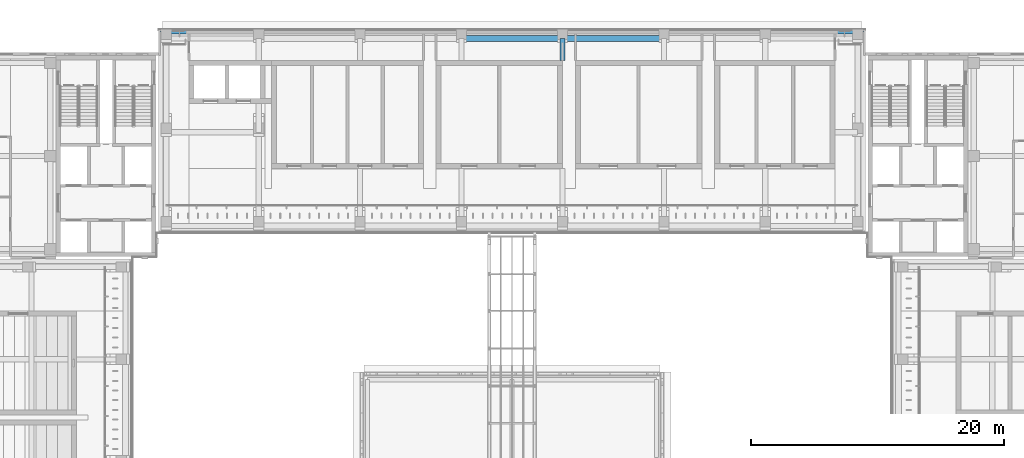
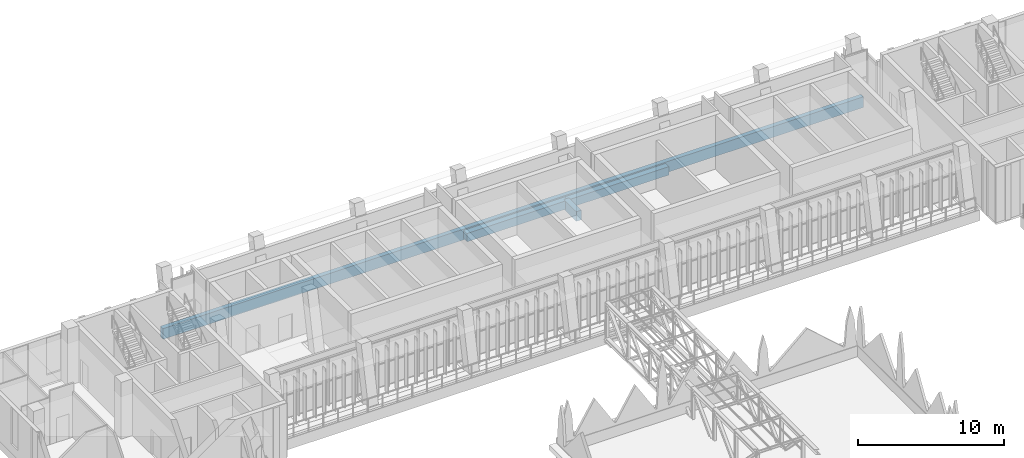
# One storey, part 76 of 141: 4 beams.
"""IFC4 building model written with IfcOpenShell, lengths in metres."""

from ifc_helpers import new_model, si_unit, direction, frame, origin, origin_2d, place, context, subcontext, project, spatial, rectangle, extrude, material, material_profile, profile_set, type_object, element, save


model = new_model("IFC4")

# Units and contexts
model_context = context("Model", 3, precision=1e-05, world=origin(), true_north=direction((0.0, 1.0)))
body_context = subcontext(model_context, "Body", "Model", "MODEL_VIEW")
ifc_project = project(units=[si_unit("LENGTHUNIT", "METRE"), si_unit("AREAUNIT", "SQUARE_METRE"), si_unit("VOLUMEUNIT", "CUBIC_METRE"), si_unit("PLANEANGLEUNIT", "RADIAN"), si_unit("MASSUNIT", "GRAM", prefix="KILO")], contexts=[model_context])

# Site, building, storey
site_placement = place(None, origin())
site = spatial("IfcSite", under=ifc_project, at=site_placement, CompositionType="ELEMENT")
building_placement = place(site_placement, origin())
building = spatial("IfcBuilding", under=site, at=building_placement, Name="Lantern Court Media Centre", CompositionType="ELEMENT")
storey_placement = place(building_placement, frame((0.0, 0.0, 9.60009765625)))
storey = spatial("IfcBuildingStorey", under=building, at=storey_placement, Name="L02", CompositionType="ELEMENT", Elevation=9.60009765625)

# Beams
ifc_material = material(Name="Concrete C35", Category="concrete")
ifc_material_profile_1 = material_profile(ifc_material, rectangle(XDim=0.35009765625, YDim=0.89990234375, at=origin_2d()), Name="RC 350x900")
ifc_profile_set_1 = profile_set([ifc_material_profile_1], Name="Concrete C35")
beam_type_1 = type_object("IfcBeamType", Name="RC BEAM 350x900", PredefinedType="BEAM", material=ifc_profile_set_1)
beam_1_placement = place(storey_placement, frame((24.25, 113.85009765625, -0.4501953125), z_axis=(1.0, 0.0, 0.0), x_axis=(0.0, 1.0, 0.0)))
element("IfcBeam", 1, at=beam_1_placement, inside=storey, type_object=beam_type_1, Name="EB-N-L02-B", PredefinedType="BEAM", context=body_context, shape_type="SweptSolid", body=[
    extrude(rectangle(XDim=0.35009765625, YDim=0.89990234375, at=origin_2d()), origin(), (0.0, 0.0, 1.0), 55.5),
])
ifc_material_profile_2 = material_profile(ifc_material, rectangle(XDim=0.39990234375, YDim=0.800048828125, at=origin_2d()), Name="RC 400x800")
ifc_profile_set_2 = profile_set([ifc_material_profile_2], Name="Concrete C35")
beam_type_2 = type_object("IfcBeamType", Name="RC BEAM 400x800", PredefinedType="BEAM", material=ifc_profile_set_2)
beam_2_placement = place(storey_placement, frame((56.0, 111.60009765625, -0.400146484375), z_axis=(0.0, 1.0, 0.0), x_axis=(-1.0, 0.0, 0.0)))
element("IfcBeam", 2, at=beam_2_placement, inside=storey, type_object=beam_type_2, Name="TB-N-L02-4-11", PredefinedType="BEAM", context=body_context, shape_type="SweptSolid", body=[
    extrude(rectangle(XDim=0.39990234375, YDim=0.800048828125, at=origin_2d()), origin(), (0.0, 0.0, 1.0), 1.716552734375),
])
ifc_material_profile_3 = material_profile(ifc_material, rectangle(XDim=0.449951171875, YDim=0.699951171875, at=origin_2d()), Name="RC 450x700")
ifc_profile_set_3 = profile_set([ifc_material_profile_3], Name="Concrete C35")
beam_type_3 = type_object("IfcBeamType", Name="RC BEAM 450x700", PredefinedType="BEAM", material=ifc_profile_set_3)
for number, where, z_axis, x_axis, name in (
    (3, (48.0, 113.3271484375, -0.35009765625), (1.0, 0.0, 0.0), (0.0, 1.0, 0.0), "LB-N-L02-2-3"),
    (4, (56.0, 113.3271484375, -0.35009765625), (1.0, 0.0, 0.0), (0.0, 1.0, 0.0), "LB-N-L02-2-4"),
):
    element("IfcBeam", number, at=place(storey_placement, frame(where, z_axis=z_axis, x_axis=x_axis)), inside=storey, type_object=beam_type_3, Name=name, PredefinedType="BEAM", context=body_context, shape_type="SweptSolid", body=[
        extrude(rectangle(XDim=0.449951171875, YDim=0.699951171875, at=origin_2d()), origin(), (0.0, 0.0, 1.0), 8.0),
    ])

save(model, "model.ifc")
